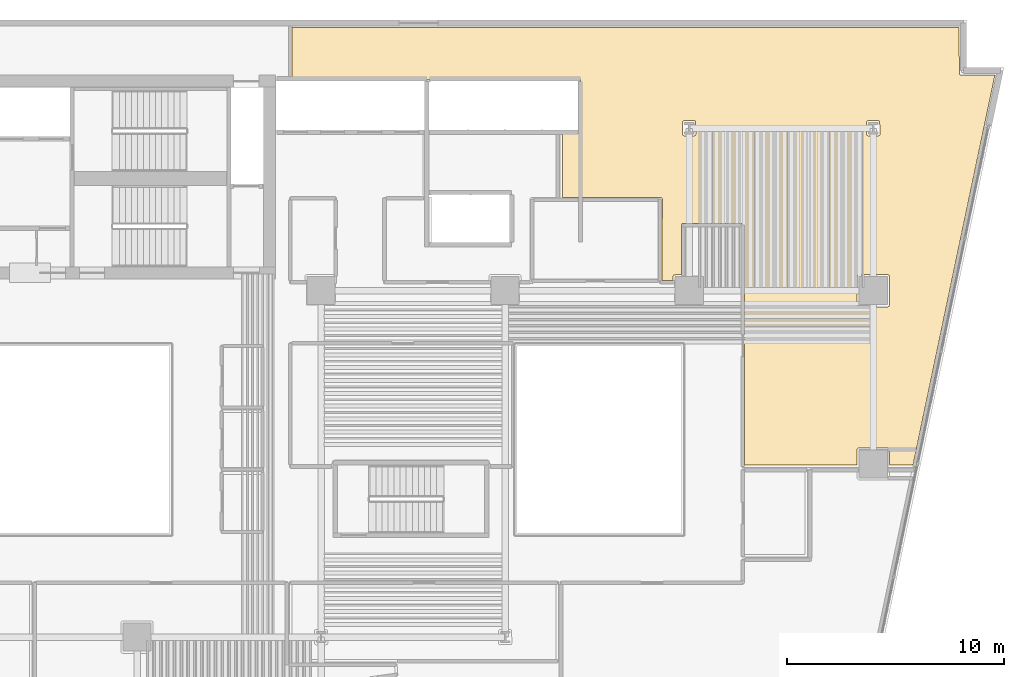
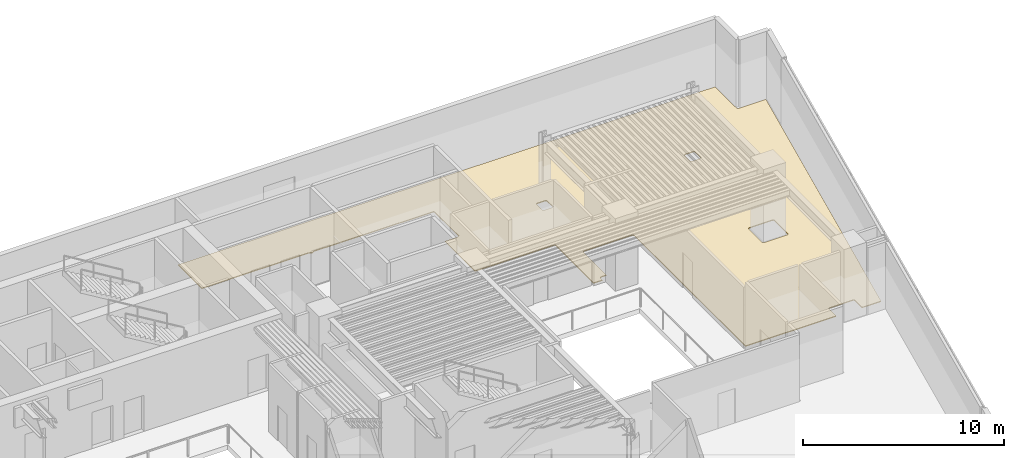
# One storey, part 12 of 12: 1 covering.
"""IFC4 building model written with IfcOpenShell, lengths in metres."""

from ifc_helpers import new_model, si_unit, direction, frame, origin, place, context, subcontext, project, spatial, polyline, outline, extrude, material, layer, layer_set, type_object, element, save


model = new_model("IFC4")

# Units and contexts
model_context = context("Model", 3, precision=1e-05, world=origin(), true_north=direction((0.0, 1.0)))
body_context = subcontext(model_context, "Body", "Model", "MODEL_VIEW")
ifc_project = project(units=[si_unit("LENGTHUNIT", "METRE"), si_unit("AREAUNIT", "SQUARE_METRE"), si_unit("VOLUMEUNIT", "CUBIC_METRE"), si_unit("PLANEANGLEUNIT", "RADIAN"), si_unit("MASSUNIT", "GRAM", prefix="KILO")], contexts=[model_context])

# Site, building, storey
site_placement = place(None, origin())
site = spatial("IfcSite", under=ifc_project, at=site_placement, CompositionType="ELEMENT")
building_placement = place(site_placement, origin())
building = spatial("IfcBuilding", under=site, at=building_placement, Name="Caeloran Harvest Quay", CompositionType="ELEMENT")
storey_placement = place(building_placement, frame((0.0, 0.0, 93.0)))
storey = spatial("IfcBuildingStorey", under=building, at=storey_placement, Name="L21", CompositionType="ELEMENT", Elevation=93.0)

# Covering
ifc_material = material(Name="Calcium-Sulphate Raised Access Floor and Terrazzo Finish", Category="flooring")
ifc_layer = layer(ifc_material, 0.050048828125, Name="Calcium-Sulphate Raised Access Floor and Terrazzo Finish")
ifc_layer_set = layer_set([ifc_layer], Name="Calcium-Sulphate Raised Access Floor and Terrazzo Finish")
covering_type = type_object("IfcCoveringType", Name="COV-FLOOR-RAISED", PredefinedType="FLOORING", material=ifc_layer_set)
covering_placement = place(storey_placement, origin())
element("IfcCovering", 1, at=covering_placement, inside=storey, type_object=covering_type, Name="Regional Food Policy Boardroom 9 Raised Finish Flooring", PredefinedType="FLOORING", context=body_context, shape_type="SweptSolid", body=[
    extrude(outline(polyline([(24.159912109375, 40.81005859375), (24.159912109375, 43.159912109375), (54.9599609375, 43.159912109375), (54.978271484375, 40.9892578125), (55.0400390625, 40.9599609375), (56.618896484375, 40.9599609375), (52.837646484375, 22.9599609375), (51.7451171875, 22.9599609375), (51.74462890625, 23.6728515625), (51.7158203125, 23.726806640625), (51.6650390625, 23.7451171875), (50.29736328125, 23.735595703125), (50.25537109375, 23.6728515625), (50.2548828125, 22.9599609375), (45.06005859375, 22.9599609375), (45.053955078125, 34.060546875), (44.97998046875, 34.110107421875), (42.175537109375, 34.096435546875), (42.139892578125, 34.030029296875), (42.139892578125, 31.7451171875), (41.79052734375, 31.7314453125), (41.75537109375, 31.6728515625), (41.7548828125, 31.4599609375), (41.240478515625, 31.4599609375), (41.260009765625, 35.2294921875), (41.23095703125, 35.291748046875), (36.659912109375, 35.31005859375), (36.659912109375, 38.2900390625), (37.41796875, 38.290283203125), (37.486572265625, 38.34716796875), (37.47900390625, 40.7236328125), (37.443359375, 40.789794921875), (30.60009765625, 40.81005859375), (30.43994140625, 40.728271484375), (30.280029296875, 40.81005859375), (24.159912109375, 40.81005859375)]), holes=[polyline([(51.7451171875, 31.6650390625), (51.7216796875, 31.7216796875), (51.6650390625, 31.7451171875), (50.3349609375, 31.7451171875), (50.2783203125, 31.7216796875), (50.2548828125, 31.6650390625), (50.2548828125, 30.3349609375), (50.2783203125, 30.2783203125), (50.3349609375, 30.2548828125), (51.6650390625, 30.2548828125), (51.7216796875, 30.2783203125), (51.7451171875, 30.3349609375), (51.7451171875, 31.6650390625)]), polyline([(51.3134765625, 38.22802734375), (51.29541015625, 38.82275390625), (51.2412109375, 38.8515625), (50.7666015625, 38.85205078125), (50.7099609375, 38.82861328125), (50.6865234375, 38.77197265625), (50.6865234375, 38.22802734375), (50.7099609375, 38.17138671875), (50.7666015625, 38.14794921875), (51.2333984375, 38.14794921875), (51.2900390625, 38.17138671875), (51.3134765625, 38.22802734375)]), polyline([(42.8134765625, 38.22802734375), (42.79541015625, 38.82275390625), (42.7412109375, 38.8515625), (42.2666015625, 38.85205078125), (42.2099609375, 38.82861328125), (42.1865234375, 38.77197265625), (42.1865234375, 38.22802734375), (42.2099609375, 38.17138671875), (42.2666015625, 38.14794921875), (42.7333984375, 38.14794921875), (42.7900390625, 38.17138671875), (42.8134765625, 38.22802734375)])]), origin(), (0.0, 0.0, 1.0), 0.050048828125),
])

save(model, "model.ifc")
